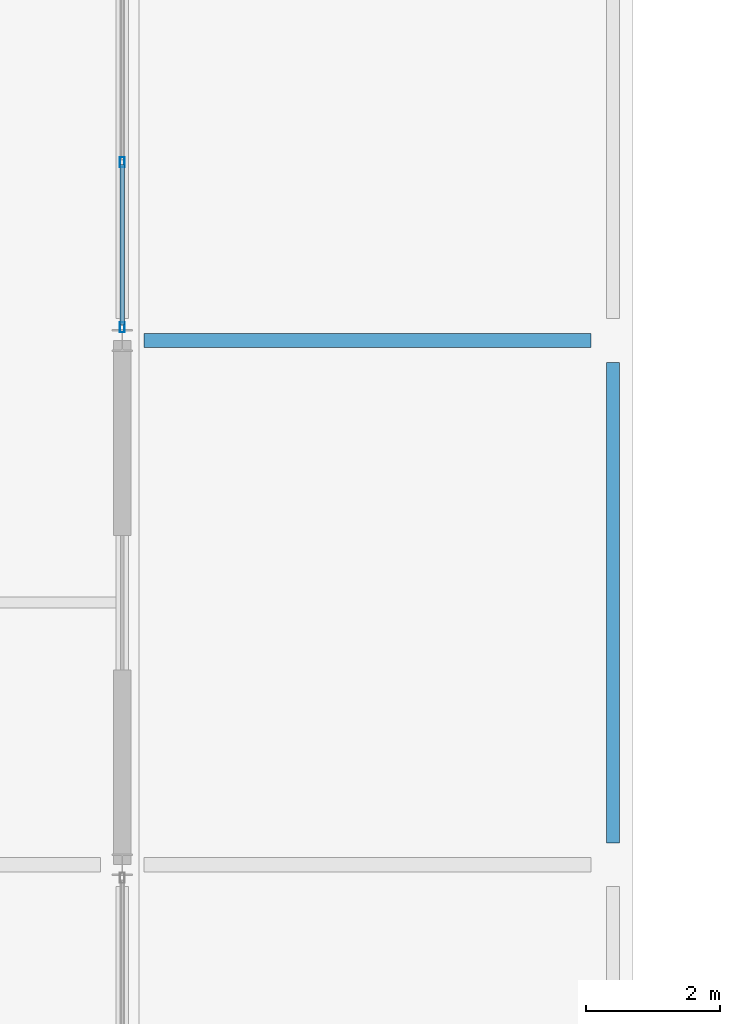
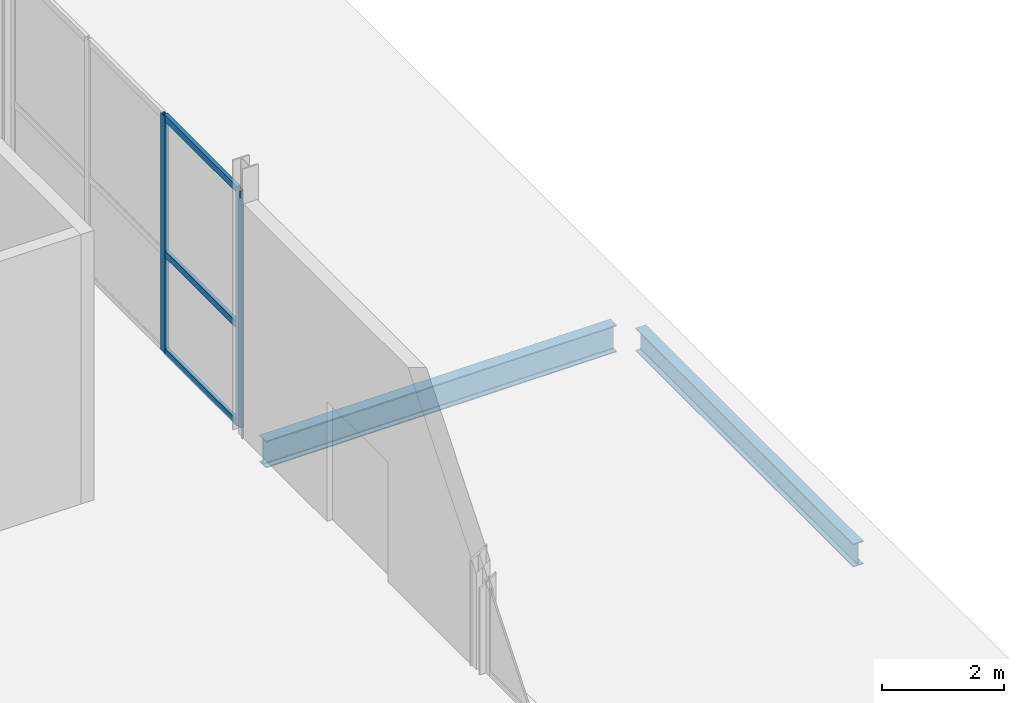
# One storey, part 18 of 83: 5 members, 2 beams, 1 element without a shape of its own.
"""IFC4 building model written with IfcOpenShell, lengths in metres."""

from ifc_helpers import new_model, si_unit, direction, frame, origin, origin_2d, place, context, subcontext, project, spatial, hollow_rectangle, i_section, extrude, material, layer, layer_set, material_profile, profile_set, type_object, element, aggregate, save


model = new_model("IFC4")

# Units and contexts
model_context = context("Model", 3, precision=1e-05, world=origin(), true_north=direction((0.0, 1.0)))
body_context = subcontext(model_context, "Body", "Model", "MODEL_VIEW")
ifc_project = project(units=[si_unit("LENGTHUNIT", "METRE"), si_unit("AREAUNIT", "SQUARE_METRE"), si_unit("VOLUMEUNIT", "CUBIC_METRE"), si_unit("PLANEANGLEUNIT", "RADIAN"), si_unit("MASSUNIT", "GRAM", prefix="KILO")], contexts=[model_context])

# Site, building, storey
site_placement = place(None, origin())
site = spatial("IfcSite", under=ifc_project, at=site_placement, CompositionType="ELEMENT")
building_placement = place(site_placement, origin())
building = spatial("IfcBuilding", under=site, at=building_placement, Name="Quillay Park Conservatory", CompositionType="ELEMENT")
storey_placement = place(building_placement, origin())
storey = spatial("IfcBuildingStorey", under=building, at=storey_placement, Name="L00", CompositionType="ELEMENT", Elevation=0.0)

# Curtain wall, members
ifc_material_1 = material(Name="Thermally Broken Anodised Aluminium 6063-T6", Category="aluminium")
ifc_layer = layer(ifc_material_1, 0.1650390625)
ifc_layer_set = layer_set([ifc_layer], Name="UNITISED CURTAIN WALL PODIUM (Thermally Broken Anodised Aluminium 6063-T6)")
curtain_wall_type = type_object("IfcCurtainWallType", Name="UNITISED CURTAIN WALL PODIUM", PredefinedType="USERDEFINED", material=ifc_layer_set)
curtain_wall_placement = place(storey_placement, origin())
curtain_wall = element("IfcCurtainWall", 1, at=curtain_wall_placement, inside=storey, type_object=curtain_wall_type, Name="L00 Unitised Curtain Wall 198", ObjectType="UNITISED CURTAIN WALL", PredefinedType="USERDEFINED")
ifc_material_2 = material(Name="Thermally Broken Anodised Aluminium 6063-T6", Category="aluminium")
ifc_material_profile_1 = material_profile(ifc_material_2, hollow_rectangle(XDim=0.070068359375, YDim=0.14990234375, WallThickness=0.00341796875, at=origin_2d()), Name="AL70x150x3.5")
ifc_profile_set_1 = profile_set([ifc_material_profile_1], Name="Thermally Broken Anodised Aluminium 6063-T6")
member_type_1 = type_object("IfcMemberType", Name="CURTAIN WALL MULLION 70 X150", PredefinedType="MULLION", material=ifc_profile_set_1)
member_1_placement = place(storey_placement, frame((22.14990234375, 41.6533203125, 0.0), z_axis=(0.0, 0.0, 1.0), x_axis=(1.0, 0.0, 0.0)))
member_1 = element("IfcMember", 2, at=member_1_placement, type_object=member_type_1, Name="CW-P1 mullion 3", PredefinedType="MULLION", context=body_context, shape_type="SweptSolid", body=[
    extrude(hollow_rectangle(XDim=0.070068359375, YDim=0.14990234375, WallThickness=0.00341796875, at=origin_2d()), origin(), (0.0, 0.0, 1.0), 4.7490234375),
])
member_2_placement = place(storey_placement, frame((22.14990234375, 39.195068359375, 0.0), z_axis=(0.0, 0.0, 1.0), x_axis=(1.0, 0.0, 0.0)))
member_2 = element("IfcMember", 3, at=member_2_placement, type_object=member_type_1, Name="CW-P1 mullion 4", PredefinedType="MULLION", context=body_context, shape_type="SweptSolid", body=[
    extrude(hollow_rectangle(XDim=0.070068359375, YDim=0.14990234375, WallThickness=0.00341796875, at=origin_2d()), origin(), (0.0, 0.0, 1.0), 4.7490234375),
])
ifc_material_3 = material(Name="Thermally Broken Anodised Aluminium 6063-T6", Category="aluminium")
ifc_material_profile_2 = material_profile(ifc_material_3, hollow_rectangle(XDim=0.070068359375, YDim=0.1298828125, WallThickness=0.003173828125, at=origin_2d()), Name="AL70x130x3.2")
ifc_profile_set_2 = profile_set([ifc_material_profile_2], Name="Thermally Broken Anodised Aluminium 6063-T6")
member_type_2 = type_object("IfcMemberType", Name="CURTAIN WALL TRANSOM 70 X130", PredefinedType="USERDEFINED", material=ifc_profile_set_2)
member_3_placement = place(storey_placement, frame((22.14990234375, 41.618408203125, 0.034912109375), z_axis=(0.0, -1.0, 0.0), x_axis=(1.0, 0.0, 0.0)))
member_3 = element("IfcMember", 4, at=member_3_placement, type_object=member_type_2, Name="CW-P1 transom 3.1", ObjectType="TRANSOM", PredefinedType="USERDEFINED", context=body_context, shape_type="SweptSolid", body=[
    extrude(hollow_rectangle(XDim=0.070068359375, YDim=0.1298828125, WallThickness=0.003173828125, at=origin_2d()), origin(), (0.0, 0.0, 1.0), 2.388427734375),
])
member_4_placement = place(storey_placement, frame((22.14990234375, 41.618408203125, 1.99462890625), z_axis=(0.0, -1.0, 0.0), x_axis=(1.0, 0.0, 0.0)))
member_4 = element("IfcMember", 5, at=member_4_placement, type_object=member_type_2, Name="CW-P1 transom 3.2", ObjectType="TRANSOM", PredefinedType="USERDEFINED", context=body_context, shape_type="SweptSolid", body=[
    extrude(hollow_rectangle(XDim=0.070068359375, YDim=0.1298828125, WallThickness=0.003173828125, at=origin_2d()), origin(), (0.0, 0.0, 1.0), 2.388427734375),
])
member_5_placement = place(storey_placement, frame((22.14990234375, 41.618408203125, 4.714111328125), z_axis=(0.0, -1.0, 0.0), x_axis=(1.0, 0.0, 0.0)))
member_5 = element("IfcMember", 6, at=member_5_placement, type_object=member_type_2, Name="CW-P1 transom 3.3", ObjectType="TRANSOM", PredefinedType="USERDEFINED", context=body_context, shape_type="SweptSolid", body=[
    extrude(hollow_rectangle(XDim=0.070068359375, YDim=0.1298828125, WallThickness=0.003173828125, at=origin_2d()), origin(), (0.0, 0.0, 1.0), 2.388427734375),
])
aggregate(curtain_wall, [member_1, member_2, member_3, member_4, member_5])

# Beams
ifc_material_4 = material(Name="Steel ASTM A992 Grade 50", Category="steel")
ifc_material_profile_3 = material_profile(ifc_material_4, i_section(OverallWidth=0.19189453125, OverallDepth=0.462890625, WebThickness=0.010498046875, FlangeThickness=0.017578125, FilletRadius=0.012939453125, at=origin_2d()), Name="W460x89")
ifc_profile_set_3 = profile_set([ifc_material_profile_3], Name="Steel ASTM A992 Grade 50")
beam_type_1 = type_object("IfcBeamType", Name="PRIMARY FLOOR GIRDER W460 X89", PredefinedType="BEAM", material=ifc_profile_set_3)
beam_1_placement = place(storey_placement, frame((29.449951171875, 31.52490234375, -0.4814453125), z_axis=(0.0, 1.0, 0.0), x_axis=(-1.0, 0.0, 0.0)))
element("IfcBeam", 7, at=beam_1_placement, inside=storey, type_object=beam_type_1, Name="L00 beam BM-V3Y-1240", PredefinedType="BEAM", context=body_context, shape_type="SweptSolid", body=[
    extrude(i_section(OverallWidth=0.19189453125, OverallDepth=0.462890625, WebThickness=0.010498046875, FlangeThickness=0.017578125, FilletRadius=0.012939453125, at=origin_2d()), origin(), (0.0, 0.0, 1.0), 7.150146484375),
])
ifc_material_5 = material(Name="Steel ASTM A992 Grade 50", Category="steel")
ifc_material_profile_4 = material_profile(ifc_material_5, i_section(OverallWidth=0.2109375, OverallDepth=0.5390625, WebThickness=0.01171875, FlangeThickness=0.018798828125, FilletRadius=0.013916015625, at=origin_2d()), Name="W530x109")
ifc_profile_set_4 = profile_set([ifc_material_profile_4], Name="Steel ASTM A992 Grade 50")
beam_type_2 = type_object("IfcBeamType", Name="PRIMARY FLOOR GIRDER W530 X109", PredefinedType="BEAM", material=ifc_profile_set_4)
beam_2_placement = place(storey_placement, frame((22.47509765625, 39.0, -0.51953125), z_axis=(1.0, 0.0, 0.0), x_axis=(0.0, 1.0, 0.0)))
element("IfcBeam", 8, at=beam_2_placement, inside=storey, type_object=beam_type_2, Name="L00 beam BM-V3X-1199", PredefinedType="BEAM", context=body_context, shape_type="SweptSolid", body=[
    extrude(i_section(OverallWidth=0.2109375, OverallDepth=0.5390625, WebThickness=0.01171875, FlangeThickness=0.018798828125, FilletRadius=0.013916015625, at=origin_2d()), origin(), (0.0, 0.0, 1.0), 6.64990234375),
])

save(model, "model.ifc")
